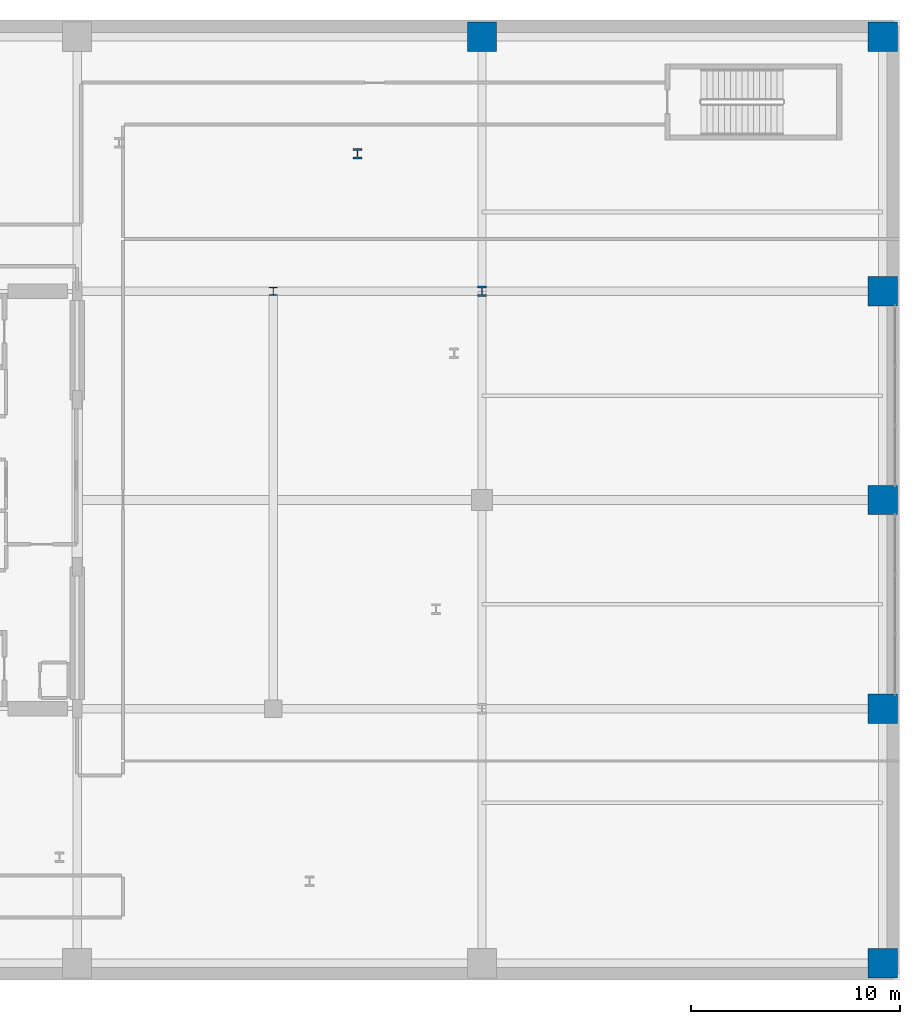
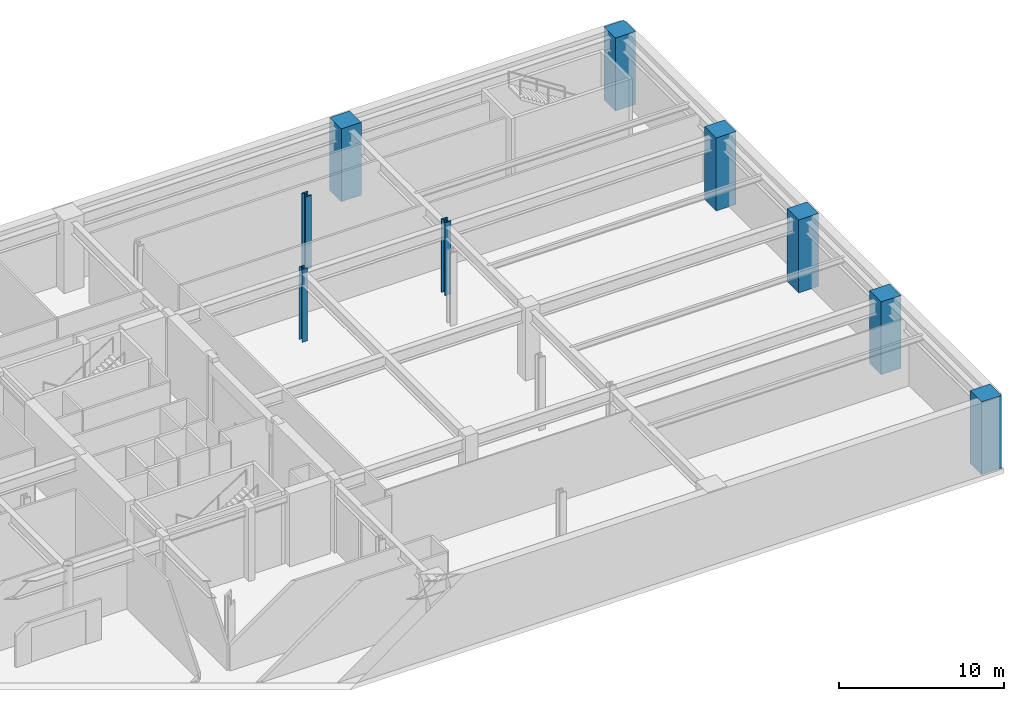
# One storey, part 3 of 25: 9 columns.
"""IFC4 building model written with IfcOpenShell, lengths in metres."""

from ifc_helpers import new_model, si_unit, direction, frame, origin, origin_2d, place, context, subcontext, project, spatial, rectangle, i_section, extrude, material, material_profile, profile_set, type_object, element, save


model = new_model("IFC4")

# Units and contexts
model_context = context("Model", 3, precision=1e-05, world=origin(), true_north=direction((0.0, 1.0)))
body_context = subcontext(model_context, "Body", "Model", "MODEL_VIEW")
ifc_project = project(units=[si_unit("LENGTHUNIT", "METRE"), si_unit("AREAUNIT", "SQUARE_METRE"), si_unit("VOLUMEUNIT", "CUBIC_METRE"), si_unit("PLANEANGLEUNIT", "RADIAN"), si_unit("MASSUNIT", "GRAM", prefix="KILO")], contexts=[model_context])

# Site, building, storey
site_placement = place(None, origin())
site = spatial("IfcSite", under=ifc_project, at=site_placement, CompositionType="ELEMENT")
building_placement = place(site_placement, origin())
building = spatial("IfcBuilding", under=site, at=building_placement, Name="Soratama Intermodal Tower", CompositionType="ELEMENT")
storey_placement = place(building_placement, frame((0.0, 0.0, -5.39990234375)))
storey = spatial("IfcBuildingStorey", under=building, at=storey_placement, Name="B1", CompositionType="ELEMENT", Elevation=-5.39990234375)

# Columns
ifc_material_1 = material(Name="Structural steel ASTM A992 Grade 50", Category="steel")
ifc_material_profile_1 = material_profile(ifc_material_1, i_section(OverallWidth=0.39404296875, OverallDepth=0.375, WebThickness=0.017333984375, FlangeThickness=0.027587890625, FilletRadius=0.0380859375, at=origin_2d()), Name="W14X145")
ifc_profile_set_1 = profile_set([ifc_material_profile_1], Name="Structural steel ASTM A992 Grade 50")
column_type_1 = type_object("IfcColumnType", Name="COL-INT-W14X145", PredefinedType="COLUMN", material=ifc_profile_set_1)
column_placement = place(storey_placement, frame((54.0, 35.0, 0.0), z_axis=(0.0, 0.0, 1.0), x_axis=(1.0, 0.0, 0.0)))
element("IfcColumn", 1, at=column_placement, inside=storey, type_object=column_type_1, Name="B1 Station Column P26", PredefinedType="COLUMN", context=body_context, shape_type="SweptSolid", body=[
    extrude(i_section(OverallWidth=0.39404296875, OverallDepth=0.375, WebThickness=0.017333984375, FlangeThickness=0.027587890625, FilletRadius=0.0380859375, at=origin_2d()), origin(), (0.0, 0.0, 1.0), 5.39990234375),
])
ifc_material_2 = material(Name="Concrete f'c 56 MPa", Category="concrete")
ifc_material_profile_2 = material_profile(ifc_material_2, rectangle(XDim=1.39990234375, YDim=1.39990234375, at=origin_2d()), Name="RC1400X1400")
ifc_profile_set_2 = profile_set([ifc_material_profile_2], Name="Concrete f'c 56 MPa")
column_type_2 = type_object("IfcColumnType", Name="COL-POD-EXT-RC1400", PredefinedType="COLUMN", material=ifc_profile_set_2)
for number, where, z_axis, x_axis, name in (
    (2, (83.199951171875, 2.800048828125, 0.0), (0.0, 0.0, 1.0), (1.0, 0.0, 0.0), "B1 Station Column P04"),
    (3, (83.199951171875, 15.0, 0.0), (0.0, 0.0, 1.0), (1.0, 0.0, 0.0), "B1 Station Column P08"),
    (4, (83.199951171875, 35.0, 0.0), (0.0, 0.0, 1.0), (1.0, 0.0, 0.0), "B1 Station Column P12"),
    (5, (64.0, 47.199951171875, 0.0), (0.0, 0.0, 1.0), (1.0, 0.0, 0.0), "B1 Station Column P15"),
    (6, (83.199951171875, 47.199951171875, 0.0), (0.0, 0.0, 1.0), (1.0, 0.0, 0.0), "B1 Station Column P16"),
    (7, (83.199951171875, 25.0, 0.0), (0.0, 0.0, 1.0), (1.0, 0.0, 0.0), "B1 Station Column P20"),
):
    element("IfcColumn", number, at=place(storey_placement, frame(where, z_axis=z_axis, x_axis=x_axis)), inside=storey, type_object=column_type_2, Name=name, PredefinedType="COLUMN", context=body_context, shape_type="SweptSolid", body=[
        extrude(rectangle(XDim=1.39990234375, YDim=1.39990234375, at=origin_2d()), origin(), (0.0, 0.0, 1.0), 5.39990234375),
    ])
ifc_material_3 = material(Name="Structural steel ASTM A992 Grade 50", Category="steel")
ifc_material_profile_3 = material_profile(ifc_material_3, i_section(OverallWidth=0.431884765625, OverallDepth=0.498046875, WebThickness=0.0556640625, FlangeThickness=0.0888671875, FilletRadius=0.0380859375, at=origin_2d()), Name="W14X500")
ifc_profile_set_3 = profile_set([ifc_material_profile_3], Name="Structural steel ASTM A992 Grade 50")
column_type_3 = type_object("IfcColumnType", Name="COL-POD-W14X500", PredefinedType="COLUMN", material=ifc_profile_set_3)
for number, where, z_axis, x_axis, name in (
    (8, (64.0, 35.0, 0.0), (0.0, 0.0, 1.0), (1.0, 0.0, 0.0), "B1 Station Column P11"),
    (9, (58.031982421875, 41.594970703125, 0.0), (0.0, 0.0, 1.0), (1.0, 0.0, 0.0), "B1 Station Column P30"),
):
    element("IfcColumn", number, at=place(storey_placement, frame(where, z_axis=z_axis, x_axis=x_axis)), inside=storey, type_object=column_type_3, Name=name, PredefinedType="COLUMN", context=body_context, shape_type="SweptSolid", body=[
        extrude(i_section(OverallWidth=0.431884765625, OverallDepth=0.498046875, WebThickness=0.0556640625, FlangeThickness=0.0888671875, FilletRadius=0.0380859375, at=origin_2d()), origin(), (0.0, 0.0, 1.0), 5.39990234375),
    ])

save(model, "model.ifc")
